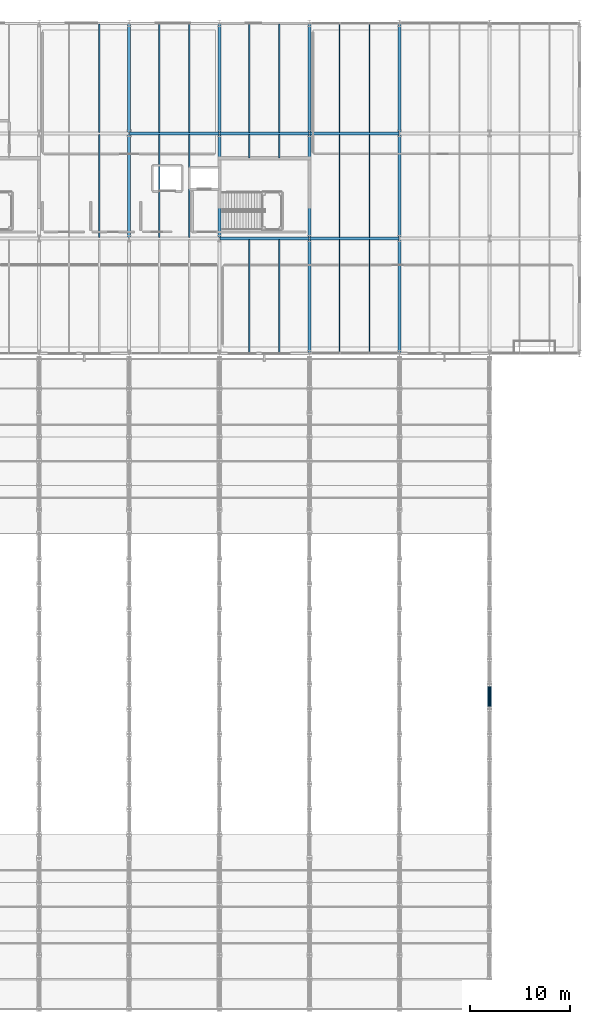
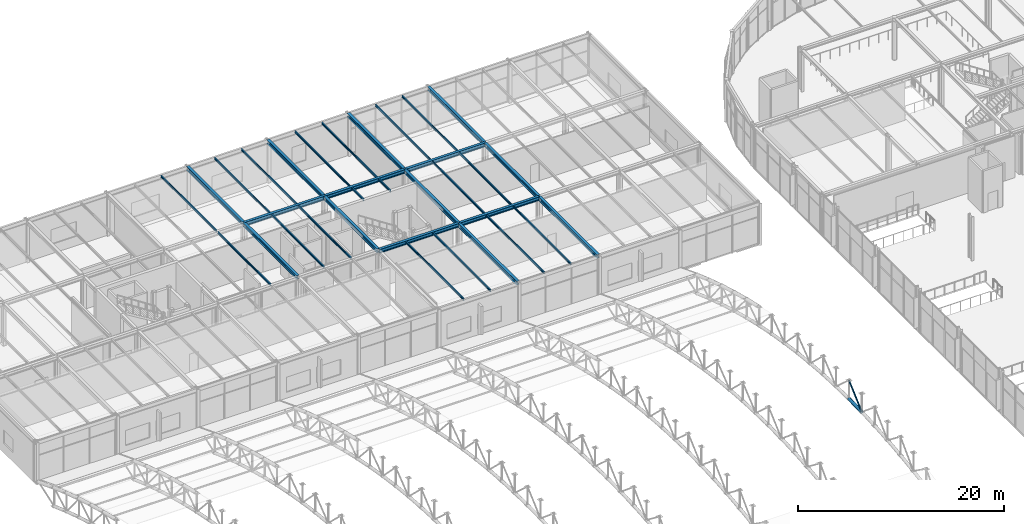
# One storey, part 45 of 195: 33 beams, 2 members.
"""IFC4 building model written with IfcOpenShell, lengths in metres."""

import ifcopenshell
import ifcopenshell.guid

model = None  # the IFC model being written
_history = None  # IfcOwnerHistory: only IFC2X3 demands one
_inside = {}  # id of a spatial element -> (the spatial element, [elements in it])
_under = {}  # id of a project, library or spatial element -> (it, [spatial elements below it])
_declared = {}  # id of a project -> (the project, [libraries it declares])
_typed = {}  # id of a type object -> (the type object, [elements of that type])
_made_of = {}  # id of a material, layer set ... -> (it, [elements and type objects made of it])


def new_model(schema):
    """Start an empty IFC model of exactly this schema.

    Asked for "IFC4X3", IfcOpenShell would pick the latest addendum, in which some entities
    have other attributes; the version numbers below select the first issue.
    IFC2X3 requires an IfcOwnerHistory on every rooted entity: one is made here for all.
    """
    global model, _history
    if schema == "IFC4X3":
        model = ifcopenshell.file(schema_version=(4, 3, 0, 0))
    else:
        model = ifcopenshell.file(schema=schema)
    _inside.clear()
    _under.clear()
    _declared.clear()
    _typed.clear()
    _made_of.clear()
    _history = None
    if model.schema == "IFC2X3":
        org = make("IfcOrganization", Name="unknown")
        user = make(
            "IfcPersonAndOrganization",
            ThePerson=make("IfcPerson", FamilyName="unknown"),
            TheOrganization=org,
        )
        app = make(
            "IfcApplication",
            ApplicationDeveloper=org,
            Version="unknown",
            ApplicationFullName="unknown",
            ApplicationIdentifier="unknown",
        )
        _history = make(
            "IfcOwnerHistory",
            OwningUser=user,
            OwningApplication=app,
            ChangeAction="ADDED",
            CreationDate=0,
        )
    return model


def make(cls, **values):
    """One entity of the class cls with the attributes given. An attribute that is None is left unset."""
    return model.create_entity(
        cls, **{name: value for name, value in values.items() if value is not None}
    )


def rooted(cls, **values):
    """An entity with a GlobalId (a new one), such as an element, a storey or a relation."""
    return make(cls, GlobalId=ifcopenshell.guid.new(), OwnerHistory=_history, **values)


def si_unit(unit_type, name, prefix=None):
    """IfcSIUnit, for example si_unit("LENGTHUNIT", "METRE", prefix="MILLI")."""
    return make("IfcSIUnit", UnitType=unit_type, Prefix=prefix, Name=name)


def assignment(units):
    """IfcUnitAssignment: the units of a project."""
    return None if units is None else make("IfcUnitAssignment", Units=units)


def point(xyz):
    """IfcCartesianPoint."""
    return None if xyz is None else make("IfcCartesianPoint", Coordinates=xyz)


def direction(xyz):
    """IfcDirection."""
    return None if xyz is None else make("IfcDirection", DirectionRatios=xyz)


def frame(location, z_axis=None, x_axis=None):
    """IfcAxis2Placement3D, a coordinate frame: its origin and axes. An axis left out is left unset."""
    return make(
        "IfcAxis2Placement3D",
        Location=point(location),
        Axis=direction(z_axis),
        RefDirection=direction(x_axis),
    )


def frame_2d(location, x_axis=None):
    """IfcAxis2Placement2D, a coordinate frame in the plane: its origin and x axis."""
    return make(
        "IfcAxis2Placement2D", Location=point(location), RefDirection=direction(x_axis)
    )


def origin():
    """The frame at (0, 0, 0) with its axes left unset."""
    return frame((0.0, 0.0, 0.0))


def origin_2d():
    """The frame at (0, 0) in the plane with its x axis left unset."""
    return frame_2d((0.0, 0.0))


def place(relative_to, where):
    """IfcLocalPlacement: puts the frame where relative to a parent placement (None: the world)."""
    return make(
        "IfcLocalPlacement", PlacementRelTo=relative_to, RelativePlacement=where
    )


def context(
    kind, dimensions, precision=None, world=None, true_north=None, identifier=None
):
    """IfcGeometricRepresentationContext, for example the 3D "Model" context."""
    return make(
        "IfcGeometricRepresentationContext",
        ContextIdentifier=identifier,
        ContextType=kind,
        CoordinateSpaceDimension=dimensions,
        Precision=precision,
        WorldCoordinateSystem=world,
        TrueNorth=true_north,
    )


def subcontext(parent, identifier, kind, view, scale=None):
    """IfcGeometricRepresentationSubContext, for example "Body" below "Model"."""
    return make(
        "IfcGeometricRepresentationSubContext",
        ContextIdentifier=identifier,
        ContextType=kind,
        ParentContext=parent,
        TargetScale=scale,
        TargetView=view,
    )


def project(units=None, contexts=None):
    """IfcProject with its units and contexts."""
    return rooted(
        "IfcProject",
        Name="project",
        RepresentationContexts=contexts,
        UnitsInContext=assignment(units),
    )


def spatial(cls, under=None, at=None, **own):
    """A site, building, storey or space (cls), placed at a placement, below another one or the project."""
    s = rooted(cls, ObjectPlacement=at, **own)
    if under is not None:
        _under.setdefault(under.id(), (under, []))[1].append(s)
    return s


def profile(cls, at=None, kind="AREA", **sizes):
    """A parametric profile (cls). Its sizes go by their IFC names, for example OverallWidth=200.0."""
    return make(cls, ProfileType=kind, Position=at, **sizes)


def hollow_circle(**sizes):
    """IfcCircleHollowProfileDef."""
    return profile("IfcCircleHollowProfileDef", **sizes)


def i_section(**sizes):
    """IfcIShapeProfileDef."""
    return profile("IfcIShapeProfileDef", **sizes)


def extrude(swept, where, along, depth):
    """IfcExtrudedAreaSolid: the profile swept, set in the frame where, extruded along a direction by depth."""
    return make(
        "IfcExtrudedAreaSolid",
        SweptArea=swept,
        Position=where,
        ExtrudedDirection=direction(along),
        Depth=depth,
    )


def shape(context_of_items, identifier, shape_type, items):
    """IfcShapeRepresentation: the items that make up one representation, for example the "Body"."""
    return make(
        "IfcShapeRepresentation",
        ContextOfItems=context_of_items,
        RepresentationIdentifier=identifier,
        RepresentationType=shape_type,
        Items=items,
    )


def material(Name=None, Category=None):
    """IfcMaterial."""
    return make("IfcMaterial", Name=Name, Category=Category)


def material_profile(
    of_material, cross_section, Name=None, Category=None, Priority=None
):
    """IfcMaterialProfile: a cross section and its material."""
    return make(
        "IfcMaterialProfile",
        Name=Name,
        Material=of_material,
        Profile=cross_section,
        Priority=Priority,
        Category=Category,
    )


def profile_set(profiles, Name=None, composite=None):
    """IfcMaterialProfileSet."""
    return make(
        "IfcMaterialProfileSet",
        Name=Name,
        MaterialProfiles=profiles,
        CompositeProfile=composite,
    )


def made_of(thing, what):
    """Note that an element or type object is made of a material, layer set ...; save() writes the relation."""
    if what is not None:
        _made_of.setdefault(what.id(), (what, []))[1].append(thing)
    return thing


def type_object(cls, material=None, **own):
    """A type object (cls), such as IfcWallType, which elements share."""
    return made_of(rooted(cls, **own), material)


def element(
    cls,
    number,
    at=None,
    inside=None,
    cuts=None,
    type_object=None,
    material=None,
    context=None,
    identifier="Body",
    shape_type=None,
    held_by="IfcProductDefinitionShape",
    body=None,
    shapes=None,
    **own,
):
    """One element of the class cls, such as IfcWall. Its Tag is "e" and its number.

    at: its placement. inside: the storey or other place that contains it. cuts: it is an
    opening in that element (IfcRelVoidsElement). A single representation is given by context,
    identifier, shape_type and body (its items); several are given by shapes. held_by: the class
    of the entity that holds the representations. save() writes the other relations.
    """
    e = rooted(cls, Tag="e%d" % number, ObjectPlacement=at, **own)
    if body is not None:
        shapes = [shape(context, identifier, shape_type, body)]
    if shapes is not None:
        e.Representation = make(held_by, Representations=shapes)
    if inside is not None:
        _inside.setdefault(inside.id(), (inside, []))[1].append(e)
    if cuts is not None:
        rooted(
            "IfcRelVoidsElement", RelatingBuildingElement=cuts, RelatedOpeningElement=e
        )
    if type_object is not None:
        _typed.setdefault(type_object.id(), (type_object, []))[1].append(e)
    return made_of(e, material)


def aggregate(whole, parts):
    """IfcRelAggregates: a whole, such as a stair, and the parts it consists of."""
    return rooted("IfcRelAggregates", RelatingObject=whole, RelatedObjects=parts)


def save(model, path):
    """Write the relations noted so far, then the file.

    IfcRelAggregates (storeys below a building ...), IfcRelContainedInSpatialStructure (elements
    in a storey), IfcRelDefinesByType, IfcRelAssociatesMaterial and IfcRelDeclares: one each for
    every whole, place, type object, material and project.
    """
    for whole, parts in _under.values():
        aggregate(whole, parts)
    for where, things in _inside.values():
        rooted(
            "IfcRelContainedInSpatialStructure",
            RelatedElements=things,
            RelatingStructure=where,
        )
    for kind, things in _typed.values():
        rooted("IfcRelDefinesByType", RelatedObjects=things, RelatingType=kind)
    for what, things in _made_of.values():
        rooted("IfcRelAssociatesMaterial", RelatedObjects=things, RelatingMaterial=what)
    for by, libraries in _declared.values():
        rooted("IfcRelDeclares", RelatingContext=by, RelatedDefinitions=libraries)
    model.write(path)


model = new_model("IFC4")

# Units and contexts
model_context = context("Model", 3, precision=1e-05, world=origin(), true_north=direction((0.0, 1.0)))
body_context = subcontext(model_context, "Body", "Model", "MODEL_VIEW")
ifc_project = project(units=[si_unit("LENGTHUNIT", "METRE"), si_unit("AREAUNIT", "SQUARE_METRE"), si_unit("VOLUMEUNIT", "CUBIC_METRE"), si_unit("PLANEANGLEUNIT", "RADIAN"), si_unit("MASSUNIT", "GRAM", prefix="KILO")], contexts=[model_context])

# Site, building, storey
site_placement = place(None, origin())
site = spatial("IfcSite", under=ifc_project, at=site_placement, CompositionType="ELEMENT")
building_placement = place(site_placement, origin())
building = spatial("IfcBuilding", under=site, at=building_placement, Name="Marlcrest Central Station", CompositionType="ELEMENT")
storey_placement = place(building_placement, frame((0.0, 0.0, 9.800048828125)))
storey = spatial("IfcBuildingStorey", under=building, at=storey_placement, Name="L02", CompositionType="ELEMENT", Elevation=9.800048828125)

# Members
ifc_material = material(Name="Steel S355", Category="steel")
ifc_material_profile_1 = material_profile(ifc_material, hollow_circle(Radius=0.177734375, WallThickness=0.01611328125, at=origin_2d()), Name="CHS 355.6x16")
ifc_profile_set_1 = profile_set([ifc_material_profile_1], Name="Steel S355")
member_type_1 = type_object("IfcMemberType", Name="AC-02", PredefinedType="CHORD", material=ifc_profile_set_1)
member_1_placement = place(storey_placement, frame((72.0, 63.5, 4.76123046875), z_axis=(0.0, 0.999879472592, 0.01552547228), x_axis=(-1.0, 0.0, 0.0)))
element("IfcMember", 1, at=member_1_placement, inside=storey, type_object=member_type_1, Name="mem-AC-02-L02-01036", PredefinedType="CHORD", context=body_context, shape_type="SweptSolid", body=[
    extrude(hollow_circle(Radius=0.177734375, WallThickness=0.01611328125, at=origin_2d()), origin(), (0.0, 0.0, 1.0), 2.500244140625),
])
ifc_material_profile_2 = material_profile(ifc_material, hollow_circle(Radius=0.084228515625, WallThickness=0.010009765625, at=origin_2d()), Name="CHS 168.3x10")
ifc_profile_set_2 = profile_set([ifc_material_profile_2], Name="Steel S355")
member_type_2 = type_object("IfcMemberType", Name="AD-01", PredefinedType="BRACE", material=ifc_profile_set_2)
member_2_placement = place(storey_placement, frame((72.0, 63.5, 4.76123046875), z_axis=(0.0, 0.744955843007, 0.66711377738), x_axis=(-1.0, 0.0, 0.0)))
element("IfcMember", 2, at=member_2_placement, inside=storey, type_object=member_type_2, Name="mem-AD-01-L02-01038", PredefinedType="BRACE", context=body_context, shape_type="SweptSolid", body=[
    extrude(hollow_circle(Radius=0.084228515625, WallThickness=0.010009765625, at=origin_2d()), origin(), (0.0, 0.0, 1.0), 3.35595703125),
])

# Beams
ifc_material_profile_3 = material_profile(ifc_material, i_section(OverallWidth=0.300048828125, OverallDepth=0.43994140625, WebThickness=0.011474609375, FlangeThickness=0.02099609375, FilletRadius=0.027099609375, at=origin_2d()), Name="HEA 450")
ifc_profile_set_3 = profile_set([ifc_material_profile_3], Name="Steel S355")
beam_type_1 = type_object("IfcBeamType", Name="BM-09", PredefinedType="BEAM", material=ifc_profile_set_3)
for number, where, z_axis, x_axis, name in (
    (3, (45.050048828125, 110.5, 4.780029296875), (1.0, 0.0, 0.0), (0.0, 1.0, 0.0), "bm-BM-09-L02-00362"),
    (4, (54.050048828125, 110.5, 4.780029296875), (1.0, 0.0, 0.0), (0.0, 1.0, 0.0), "bm-BM-09-L02-00363"),
    (5, (36.050048828125, 121.0, 4.780029296875), (1.0, 0.0, 0.0), (0.0, 1.0, 0.0), "bm-BM-09-L02-00370"),
    (6, (45.050048828125, 121.0, 4.780029296875), (1.0, 0.0, 0.0), (0.0, 1.0, 0.0), "bm-BM-09-L02-00371"),
    (7, (54.050048828125, 121.0, 4.780029296875), (1.0, 0.0, 0.0), (0.0, 1.0, 0.0), "bm-BM-09-L02-00372"),
):
    element("IfcBeam", number, at=place(storey_placement, frame(where, z_axis=z_axis, x_axis=x_axis)), inside=storey, type_object=beam_type_1, Name=name, PredefinedType="BEAM", context=body_context, shape_type="SweptSolid", body=[
        extrude(i_section(OverallWidth=0.300048828125, OverallDepth=0.43994140625, WebThickness=0.011474609375, FlangeThickness=0.02099609375, FilletRadius=0.027099609375, at=origin_2d()), origin(), (0.0, 0.0, 1.0), 8.89990234375),
    ])
beam_1_placement = place(storey_placement, frame((36.0, 110.550048828125, 4.780029296875), z_axis=(0.0, 1.0, 0.0), x_axis=(-1.0, 0.0, 0.0)))
element("IfcBeam", 8, at=beam_1_placement, inside=storey, type_object=beam_type_1, Name="bm-BM-09-L02-00397", PredefinedType="BEAM", context=body_context, shape_type="SweptSolid", body=[
    extrude(i_section(OverallWidth=0.300048828125, OverallDepth=0.43994140625, WebThickness=0.011474609375, FlangeThickness=0.02099609375, FilletRadius=0.027099609375, at=origin_2d()), origin(), (0.0, 0.0, 1.0), 10.39990234375),
])
beam_2_placement = place(storey_placement, frame((36.0, 121.050048828125, 4.780029296875), z_axis=(0.0, 1.0, 0.0), x_axis=(-1.0, 0.0, 0.0)))
element("IfcBeam", 9, at=beam_2_placement, inside=storey, type_object=beam_type_1, Name="bm-BM-09-L02-00398", PredefinedType="BEAM", context=body_context, shape_type="SweptSolid", body=[
    extrude(i_section(OverallWidth=0.300048828125, OverallDepth=0.43994140625, WebThickness=0.011474609375, FlangeThickness=0.02099609375, FilletRadius=0.027099609375, at=origin_2d()), origin(), (0.0, 0.0, 1.0), 10.89990234375),
])
beam_3_placement = place(storey_placement, frame((45.0, 110.550048828125, 4.780029296875), z_axis=(0.0, 1.0, 0.0), x_axis=(-1.0, 0.0, 0.0)))
element("IfcBeam", 10, at=beam_3_placement, inside=storey, type_object=beam_type_1, Name="bm-BM-09-L02-00400", PredefinedType="BEAM", context=body_context, shape_type="SweptSolid", body=[
    extrude(i_section(OverallWidth=0.300048828125, OverallDepth=0.43994140625, WebThickness=0.011474609375, FlangeThickness=0.02099609375, FilletRadius=0.027099609375, at=origin_2d()), origin(), (0.0, 0.0, 1.0), 10.39990234375),
])
beam_4_placement = place(storey_placement, frame((45.0, 121.050048828125, 4.780029296875), z_axis=(0.0, 1.0, 0.0), x_axis=(-1.0, 0.0, 0.0)))
element("IfcBeam", 11, at=beam_4_placement, inside=storey, type_object=beam_type_1, Name="bm-BM-09-L02-00401", PredefinedType="BEAM", context=body_context, shape_type="SweptSolid", body=[
    extrude(i_section(OverallWidth=0.300048828125, OverallDepth=0.43994140625, WebThickness=0.011474609375, FlangeThickness=0.02099609375, FilletRadius=0.027099609375, at=origin_2d()), origin(), (0.0, 0.0, 1.0), 10.89990234375),
])
beam_5_placement = place(storey_placement, frame((54.0, 99.050048828125, 4.780029296875), z_axis=(0.0, 1.0, 0.0), x_axis=(-1.0, 0.0, 0.0)))
element("IfcBeam", 12, at=beam_5_placement, inside=storey, type_object=beam_type_1, Name="bm-BM-09-L02-00402", PredefinedType="BEAM", context=body_context, shape_type="SweptSolid", body=[
    extrude(i_section(OverallWidth=0.300048828125, OverallDepth=0.43994140625, WebThickness=0.011474609375, FlangeThickness=0.02099609375, FilletRadius=0.027099609375, at=origin_2d()), origin(), (0.0, 0.0, 1.0), 11.39990234375),
])
beam_6_placement = place(storey_placement, frame((54.0, 110.550048828125, 4.780029296875), z_axis=(0.0, 1.0, 0.0), x_axis=(-1.0, 0.0, 0.0)))
element("IfcBeam", 13, at=beam_6_placement, inside=storey, type_object=beam_type_1, Name="bm-BM-09-L02-00403", PredefinedType="BEAM", context=body_context, shape_type="SweptSolid", body=[
    extrude(i_section(OverallWidth=0.300048828125, OverallDepth=0.43994140625, WebThickness=0.011474609375, FlangeThickness=0.02099609375, FilletRadius=0.027099609375, at=origin_2d()), origin(), (0.0, 0.0, 1.0), 10.39990234375),
])
beam_7_placement = place(storey_placement, frame((54.0, 121.050048828125, 4.780029296875), z_axis=(0.0, 1.0, 0.0), x_axis=(-1.0, 0.0, 0.0)))
element("IfcBeam", 14, at=beam_7_placement, inside=storey, type_object=beam_type_1, Name="bm-BM-09-L02-00404", PredefinedType="BEAM", context=body_context, shape_type="SweptSolid", body=[
    extrude(i_section(OverallWidth=0.300048828125, OverallDepth=0.43994140625, WebThickness=0.011474609375, FlangeThickness=0.02099609375, FilletRadius=0.027099609375, at=origin_2d()), origin(), (0.0, 0.0, 1.0), 10.89990234375),
])
beam_8_placement = place(storey_placement, frame((63.0, 99.050048828125, 4.780029296875), z_axis=(0.0, 1.0, 0.0), x_axis=(-1.0, 0.0, 0.0)))
element("IfcBeam", 15, at=beam_8_placement, inside=storey, type_object=beam_type_1, Name="bm-BM-09-L02-00405", PredefinedType="BEAM", context=body_context, shape_type="SweptSolid", body=[
    extrude(i_section(OverallWidth=0.300048828125, OverallDepth=0.43994140625, WebThickness=0.011474609375, FlangeThickness=0.02099609375, FilletRadius=0.027099609375, at=origin_2d()), origin(), (0.0, 0.0, 1.0), 11.39990234375),
])
beam_9_placement = place(storey_placement, frame((63.0, 110.550048828125, 4.780029296875), z_axis=(0.0, 1.0, 0.0), x_axis=(-1.0, 0.0, 0.0)))
element("IfcBeam", 16, at=beam_9_placement, inside=storey, type_object=beam_type_1, Name="bm-BM-09-L02-00406", PredefinedType="BEAM", context=body_context, shape_type="SweptSolid", body=[
    extrude(i_section(OverallWidth=0.300048828125, OverallDepth=0.43994140625, WebThickness=0.011474609375, FlangeThickness=0.02099609375, FilletRadius=0.027099609375, at=origin_2d()), origin(), (0.0, 0.0, 1.0), 10.39990234375),
])
beam_10_placement = place(storey_placement, frame((63.0, 121.050048828125, 4.780029296875), z_axis=(0.0, 1.0, 0.0), x_axis=(-1.0, 0.0, 0.0)))
element("IfcBeam", 17, at=beam_10_placement, inside=storey, type_object=beam_type_1, Name="bm-BM-09-L02-00407", PredefinedType="BEAM", context=body_context, shape_type="SweptSolid", body=[
    extrude(i_section(OverallWidth=0.300048828125, OverallDepth=0.43994140625, WebThickness=0.011474609375, FlangeThickness=0.02099609375, FilletRadius=0.027099609375, at=origin_2d()), origin(), (0.0, 0.0, 1.0), 10.89990234375),
])
ifc_material_profile_4 = material_profile(ifc_material, i_section(OverallWidth=0.1201171875, OverallDepth=0.239990234375, WebThickness=0.006103515625, FlangeThickness=0.009765625, FilletRadius=0.014892578125, at=origin_2d()), Name="IPE 240")
ifc_profile_set_4 = profile_set([ifc_material_profile_4], Name="Steel S355")
beam_type_2 = type_object("IfcBeamType", Name="JS-03", PredefinedType="JOIST", material=ifc_profile_set_4)
beam_11_placement = place(storey_placement, frame((33.0, 110.60009765625, 4.8798828125), z_axis=(0.0, 1.0, 0.0), x_axis=(-1.0, 0.0, 0.0)))
element("IfcBeam", 18, at=beam_11_placement, inside=storey, type_object=beam_type_2, Name="bm-JS-03-L02-00436", PredefinedType="JOIST", context=body_context, shape_type="SweptSolid", body=[
    extrude(i_section(OverallWidth=0.1201171875, OverallDepth=0.239990234375, WebThickness=0.006103515625, FlangeThickness=0.009765625, FilletRadius=0.014892578125, at=origin_2d()), origin(), (0.0, 0.0, 1.0), 10.2998046875),
])
beam_12_placement = place(storey_placement, frame((33.0, 121.10009765625, 4.8798828125), z_axis=(0.0, 1.0, 0.0), x_axis=(-1.0, 0.0, 0.0)))
element("IfcBeam", 19, at=beam_12_placement, inside=storey, type_object=beam_type_2, Name="bm-JS-03-L02-00437", PredefinedType="JOIST", context=body_context, shape_type="SweptSolid", body=[
    extrude(i_section(OverallWidth=0.1201171875, OverallDepth=0.239990234375, WebThickness=0.006103515625, FlangeThickness=0.009765625, FilletRadius=0.014892578125, at=origin_2d()), origin(), (0.0, 0.0, 1.0), 10.804931640625),
])
beam_13_placement = place(storey_placement, frame((39.0, 110.60009765625, 4.8798828125), z_axis=(0.0, 1.0, 0.0), x_axis=(-1.0, 0.0, 0.0)))
element("IfcBeam", 20, at=beam_13_placement, inside=storey, type_object=beam_type_2, Name="bm-JS-03-L02-00439", PredefinedType="JOIST", context=body_context, shape_type="SweptSolid", body=[
    extrude(i_section(OverallWidth=0.1201171875, OverallDepth=0.239990234375, WebThickness=0.006103515625, FlangeThickness=0.009765625, FilletRadius=0.014892578125, at=origin_2d()), origin(), (0.0, 0.0, 1.0), 10.2998046875),
])
beam_14_placement = place(storey_placement, frame((39.0, 121.10009765625, 4.8798828125), z_axis=(0.0, 1.0, 0.0), x_axis=(-1.0, 0.0, 0.0)))
element("IfcBeam", 21, at=beam_14_placement, inside=storey, type_object=beam_type_2, Name="bm-JS-03-L02-00440", PredefinedType="JOIST", context=body_context, shape_type="SweptSolid", body=[
    extrude(i_section(OverallWidth=0.1201171875, OverallDepth=0.239990234375, WebThickness=0.006103515625, FlangeThickness=0.009765625, FilletRadius=0.014892578125, at=origin_2d()), origin(), (0.0, 0.0, 1.0), 10.804931640625),
])
beam_15_placement = place(storey_placement, frame((42.0, 110.60009765625, 4.8798828125), z_axis=(0.0, 1.0, 0.0), x_axis=(-1.0, 0.0, 0.0)))
element("IfcBeam", 22, at=beam_15_placement, inside=storey, type_object=beam_type_2, Name="bm-JS-03-L02-00442", PredefinedType="JOIST", context=body_context, shape_type="SweptSolid", body=[
    extrude(i_section(OverallWidth=0.1201171875, OverallDepth=0.239990234375, WebThickness=0.006103515625, FlangeThickness=0.009765625, FilletRadius=0.014892578125, at=origin_2d()), origin(), (0.0, 0.0, 1.0), 10.2998046875),
])
beam_16_placement = place(storey_placement, frame((42.0, 121.10009765625, 4.8798828125), z_axis=(0.0, 1.0, 0.0), x_axis=(-1.0, 0.0, 0.0)))
element("IfcBeam", 23, at=beam_16_placement, inside=storey, type_object=beam_type_2, Name="bm-JS-03-L02-00443", PredefinedType="JOIST", context=body_context, shape_type="SweptSolid", body=[
    extrude(i_section(OverallWidth=0.1201171875, OverallDepth=0.239990234375, WebThickness=0.006103515625, FlangeThickness=0.009765625, FilletRadius=0.014892578125, at=origin_2d()), origin(), (0.0, 0.0, 1.0), 10.804931640625),
])
beam_17_placement = place(storey_placement, frame((48.0, 99.094970703125, 4.8798828125), z_axis=(0.0, 1.0, 0.0), x_axis=(-1.0, 0.0, 0.0)))
element("IfcBeam", 24, at=beam_17_placement, inside=storey, type_object=beam_type_2, Name="bm-JS-03-L02-00444", PredefinedType="JOIST", context=body_context, shape_type="SweptSolid", body=[
    extrude(i_section(OverallWidth=0.1201171875, OverallDepth=0.239990234375, WebThickness=0.006103515625, FlangeThickness=0.009765625, FilletRadius=0.014892578125, at=origin_2d()), origin(), (0.0, 0.0, 1.0), 11.304931640625),
])
beam_18_placement = place(storey_placement, frame((48.0, 118.52001953125, 4.8798828125), z_axis=(0.0, 1.0, 0.0), x_axis=(-1.0, 0.0, 0.0)))
element("IfcBeam", 25, at=beam_18_placement, inside=storey, type_object=beam_type_2, Name="bm-JS-03-L02-00445", PredefinedType="JOIST", context=body_context, shape_type="SweptSolid", body=[
    extrude(i_section(OverallWidth=0.1201171875, OverallDepth=0.239990234375, WebThickness=0.006103515625, FlangeThickness=0.009765625, FilletRadius=0.014892578125, at=origin_2d()), origin(), (0.0, 0.0, 1.0), 2.3798828125),
])
beam_19_placement = place(storey_placement, frame((48.0, 121.10009765625, 4.8798828125), z_axis=(0.0, 1.0, 0.0), x_axis=(-1.0, 0.0, 0.0)))
element("IfcBeam", 26, at=beam_19_placement, inside=storey, type_object=beam_type_2, Name="bm-JS-03-L02-00446", PredefinedType="JOIST", context=body_context, shape_type="SweptSolid", body=[
    extrude(i_section(OverallWidth=0.1201171875, OverallDepth=0.239990234375, WebThickness=0.006103515625, FlangeThickness=0.009765625, FilletRadius=0.014892578125, at=origin_2d()), origin(), (0.0, 0.0, 1.0), 10.804931640625),
])
beam_20_placement = place(storey_placement, frame((51.0, 99.094970703125, 4.8798828125), z_axis=(0.0, 1.0, 0.0), x_axis=(-1.0, 0.0, 0.0)))
element("IfcBeam", 27, at=beam_20_placement, inside=storey, type_object=beam_type_2, Name="bm-JS-03-L02-00447", PredefinedType="JOIST", context=body_context, shape_type="SweptSolid", body=[
    extrude(i_section(OverallWidth=0.1201171875, OverallDepth=0.239990234375, WebThickness=0.006103515625, FlangeThickness=0.009765625, FilletRadius=0.014892578125, at=origin_2d()), origin(), (0.0, 0.0, 1.0), 11.304931640625),
])
beam_21_placement = place(storey_placement, frame((51.0, 118.52001953125, 4.8798828125), z_axis=(0.0, 1.0, 0.0), x_axis=(-1.0, 0.0, 0.0)))
element("IfcBeam", 28, at=beam_21_placement, inside=storey, type_object=beam_type_2, Name="bm-JS-03-L02-00448", PredefinedType="JOIST", context=body_context, shape_type="SweptSolid", body=[
    extrude(i_section(OverallWidth=0.1201171875, OverallDepth=0.239990234375, WebThickness=0.006103515625, FlangeThickness=0.009765625, FilletRadius=0.014892578125, at=origin_2d()), origin(), (0.0, 0.0, 1.0), 2.3798828125),
])
beam_22_placement = place(storey_placement, frame((51.0, 121.10009765625, 4.8798828125), z_axis=(0.0, 1.0, 0.0), x_axis=(-1.0, 0.0, 0.0)))
element("IfcBeam", 29, at=beam_22_placement, inside=storey, type_object=beam_type_2, Name="bm-JS-03-L02-00449", PredefinedType="JOIST", context=body_context, shape_type="SweptSolid", body=[
    extrude(i_section(OverallWidth=0.1201171875, OverallDepth=0.239990234375, WebThickness=0.006103515625, FlangeThickness=0.009765625, FilletRadius=0.014892578125, at=origin_2d()), origin(), (0.0, 0.0, 1.0), 10.804931640625),
])
beam_23_placement = place(storey_placement, frame((57.0, 99.094970703125, 4.8798828125), z_axis=(0.0, 1.0, 0.0), x_axis=(-1.0, 0.0, 0.0)))
element("IfcBeam", 30, at=beam_23_placement, inside=storey, type_object=beam_type_2, Name="bm-JS-03-L02-00450", PredefinedType="JOIST", context=body_context, shape_type="SweptSolid", body=[
    extrude(i_section(OverallWidth=0.1201171875, OverallDepth=0.239990234375, WebThickness=0.006103515625, FlangeThickness=0.009765625, FilletRadius=0.014892578125, at=origin_2d()), origin(), (0.0, 0.0, 1.0), 11.304931640625),
])
beam_24_placement = place(storey_placement, frame((57.0, 110.60009765625, 4.8798828125), z_axis=(0.0, 1.0, 0.0), x_axis=(-1.0, 0.0, 0.0)))
element("IfcBeam", 31, at=beam_24_placement, inside=storey, type_object=beam_type_2, Name="bm-JS-03-L02-00451", PredefinedType="JOIST", context=body_context, shape_type="SweptSolid", body=[
    extrude(i_section(OverallWidth=0.1201171875, OverallDepth=0.239990234375, WebThickness=0.006103515625, FlangeThickness=0.009765625, FilletRadius=0.014892578125, at=origin_2d()), origin(), (0.0, 0.0, 1.0), 10.2998046875),
])
beam_25_placement = place(storey_placement, frame((57.0, 121.10009765625, 4.8798828125), z_axis=(0.0, 1.0, 0.0), x_axis=(-1.0, 0.0, 0.0)))
element("IfcBeam", 32, at=beam_25_placement, inside=storey, type_object=beam_type_2, Name="bm-JS-03-L02-00452", PredefinedType="JOIST", context=body_context, shape_type="SweptSolid", body=[
    extrude(i_section(OverallWidth=0.1201171875, OverallDepth=0.239990234375, WebThickness=0.006103515625, FlangeThickness=0.009765625, FilletRadius=0.014892578125, at=origin_2d()), origin(), (0.0, 0.0, 1.0), 10.804931640625),
])
beam_26_placement = place(storey_placement, frame((60.0, 99.094970703125, 4.8798828125), z_axis=(0.0, 1.0, 0.0), x_axis=(-1.0, 0.0, 0.0)))
element("IfcBeam", 33, at=beam_26_placement, inside=storey, type_object=beam_type_2, Name="bm-JS-03-L02-00453", PredefinedType="JOIST", context=body_context, shape_type="SweptSolid", body=[
    extrude(i_section(OverallWidth=0.1201171875, OverallDepth=0.239990234375, WebThickness=0.006103515625, FlangeThickness=0.009765625, FilletRadius=0.014892578125, at=origin_2d()), origin(), (0.0, 0.0, 1.0), 11.304931640625),
])
beam_27_placement = place(storey_placement, frame((60.0, 110.60009765625, 4.8798828125), z_axis=(0.0, 1.0, 0.0), x_axis=(-1.0, 0.0, 0.0)))
element("IfcBeam", 34, at=beam_27_placement, inside=storey, type_object=beam_type_2, Name="bm-JS-03-L02-00454", PredefinedType="JOIST", context=body_context, shape_type="SweptSolid", body=[
    extrude(i_section(OverallWidth=0.1201171875, OverallDepth=0.239990234375, WebThickness=0.006103515625, FlangeThickness=0.009765625, FilletRadius=0.014892578125, at=origin_2d()), origin(), (0.0, 0.0, 1.0), 10.2998046875),
])
beam_28_placement = place(storey_placement, frame((60.0, 121.10009765625, 4.8798828125), z_axis=(0.0, 1.0, 0.0), x_axis=(-1.0, 0.0, 0.0)))
element("IfcBeam", 35, at=beam_28_placement, inside=storey, type_object=beam_type_2, Name="bm-JS-03-L02-00455", PredefinedType="JOIST", context=body_context, shape_type="SweptSolid", body=[
    extrude(i_section(OverallWidth=0.1201171875, OverallDepth=0.239990234375, WebThickness=0.006103515625, FlangeThickness=0.009765625, FilletRadius=0.014892578125, at=origin_2d()), origin(), (0.0, 0.0, 1.0), 10.804931640625),
])

save(model, "model.ifc")
